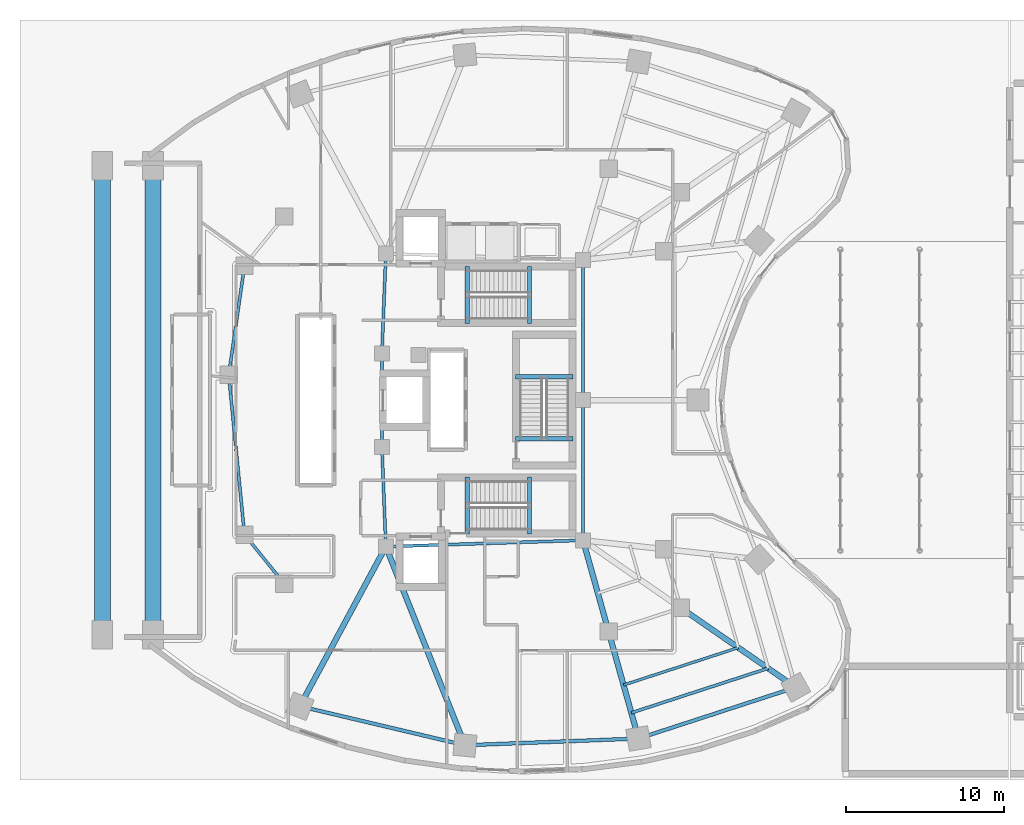
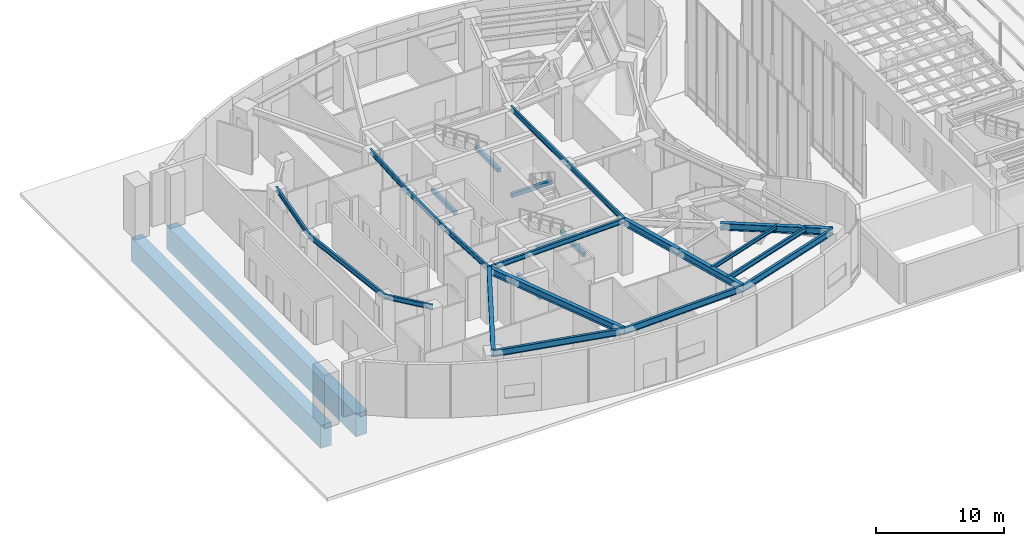
# One storey, part 7 of 28: 27 beams.
"""IFC4 building model written with IfcOpenShell, lengths in metres."""

from ifc_helpers import new_model, si_unit, direction, frame, origin, origin_2d, place, context, subcontext, project, spatial, rectangle, i_section, extrude, material, material_profile, profile_set, type_object, element, save


model = new_model("IFC4")

# Units and contexts
model_context = context("Model", 3, precision=1e-05, world=origin(), true_north=direction((0.0, 1.0)))
body_context = subcontext(model_context, "Body", "Model", "MODEL_VIEW")
ifc_project = project(units=[si_unit("LENGTHUNIT", "METRE"), si_unit("AREAUNIT", "SQUARE_METRE"), si_unit("VOLUMEUNIT", "CUBIC_METRE"), si_unit("PLANEANGLEUNIT", "RADIAN"), si_unit("MASSUNIT", "GRAM", prefix="KILO")], contexts=[model_context])

# Site, building, storey
site_placement = place(None, origin())
site = spatial("IfcSite", under=ifc_project, at=site_placement, CompositionType="ELEMENT")
building_placement = place(site_placement, origin())
building = spatial("IfcBuilding", under=site, at=building_placement, Name="Korentha Bioscience Tower", CompositionType="ELEMENT")
storey_placement = place(building_placement, origin())
storey = spatial("IfcBuildingStorey", under=building, at=storey_placement, Name="L00", CompositionType="ELEMENT", Elevation=0.0)

# Beams
ifc_material_1 = material(Name="Concrete C50", Category="concrete")
ifc_material_profile_1 = material_profile(ifc_material_1, rectangle(XDim=0.280029296875, YDim=0.3798828125, at=origin_2d()), Name="Concrete C50")
ifc_profile_set_1 = profile_set([ifc_material_profile_1], Name="Concrete C50 (ST-HB380)")
beam_type_1 = type_object("IfcBeamType", Name="Concrete Stair Header Beam RC 280x380", PredefinedType="BEAM", material=ifc_profile_set_1)
for number, where, z_axis, x_axis, name in (
    (1, (30.25, 31.85009765625, -0.18994140625), (0.0, 1.0, 0.0), (-1.0, 0.0, 0.0), "L00 ST-1 Concrete Stair Header Beam"),
    (2, (34.169921875, 31.85009765625, 2.510009765625), (0.0, 1.0, 0.0), (-1.0, 0.0, 0.0), "L00 ST-1 Half-Landing Header Beam 1"),
    (3, (30.25, 18.550048828125, -0.18994140625), (0.0, 1.0, 0.0), (-1.0, 0.0, 0.0), "L00 ST-2 Concrete Stair Header Beam"),
    (4, (34.169921875, 18.550048828125, 2.510009765625), (0.0, 1.0, 0.0), (-1.0, 0.0, 0.0), "L00 ST-2 Half-Landing Header Beam 1"),
    (5, (36.89990234375, 24.550048828125, -0.18994140625), (-1.0, 0.0, 0.0), (0.0, -1.0, 0.0), "L00 ST-3 Concrete Stair Header Beam"),
    (6, (36.89990234375, 28.469970703125, 2.510009765625), (-1.0, 0.0, 0.0), (0.0, -1.0, 0.0), "L00 ST-3 Half-Landing Header Beam 1"),
):
    element("IfcBeam", number, at=place(storey_placement, frame(where, z_axis=z_axis, x_axis=x_axis)), inside=storey, type_object=beam_type_1, Name=name, PredefinedType="BEAM", context=body_context, shape_type="SweptSolid", body=[
        extrude(rectangle(XDim=0.280029296875, YDim=0.3798828125, at=origin_2d()), origin(), (0.0, 0.0, 1.0), 3.599853515625),
    ])
ifc_material_2 = material(Name="Steel S355", Category="steel")
ifc_material_profile_2 = material_profile(ifc_material_2, i_section(OverallWidth=0.18994140625, OverallDepth=0.45703125, WebThickness=0.009033203125, FlangeThickness=0.014404296875, at=origin_2d()), Name="Steel S355")
ifc_profile_set_2 = profile_set([ifc_material_profile_2], Name="Steel S355 (MB-460)")
beam_type_2 = type_object("IfcBeamType", Name="Mid-Ring Tie Girder W460x74", PredefinedType="BEAM", material=ifc_profile_set_2)
beam_1_placement = place(storey_placement, frame((16.174072265625, 35.489013671875, 4.87158203125), z_axis=(-0.14286846228, -0.989741684727, 0.0), x_axis=(0.989741684727, -0.14286846228, 0.0)))
element("IfcBeam", 7, at=beam_1_placement, inside=storey, type_object=beam_type_2, Name="L00 Mid-Ring Tie Girder 06", PredefinedType="BEAM", context=body_context, shape_type="SweptSolid", body=[
    extrude(i_section(OverallWidth=0.18994140625, OverallDepth=0.45703125, WebThickness=0.009033203125, FlangeThickness=0.014404296875, at=origin_2d()), origin(), (0.0, 0.0, 1.0), 6.967041015625),
])
beam_2_placement = place(storey_placement, frame((15.1787109375, 28.593505859375, 4.87158203125), z_axis=(0.098243909277, -0.995162365793, 0.0), x_axis=(0.995162365793, 0.098243909277, 0.0)))
element("IfcBeam", 8, at=beam_2_placement, inside=storey, type_object=beam_type_2, Name="L00 Mid-Ring Tie Girder 07", PredefinedType="BEAM", context=body_context, shape_type="SweptSolid", body=[
    extrude(i_section(OverallWidth=0.18994140625, OverallDepth=0.45703125, WebThickness=0.009033203125, FlangeThickness=0.014404296875, at=origin_2d()), origin(), (0.0, 0.0, 1.0), 10.131591796875),
])
beam_3_placement = place(storey_placement, frame((16.174072265625, 18.510986328125, 4.87158203125), z_axis=(0.629790009744, -0.776765436684, 0.0), x_axis=(0.776765436684, 0.629790009744, 0.0)))
element("IfcBeam", 9, at=beam_3_placement, inside=storey, type_object=beam_type_2, Name="L00 Mid-Ring Tie Girder 08", PredefinedType="BEAM", context=body_context, shape_type="SweptSolid", body=[
    extrude(i_section(OverallWidth=0.18994140625, OverallDepth=0.45703125, WebThickness=0.009033203125, FlangeThickness=0.014404296875, at=origin_2d()), origin(), (0.0, 0.0, 1.0), 3.998291015625),
])
beam_4_placement = place(storey_placement, frame((25.10009765625, 36.25, 4.87158203125), z_axis=(-0.039651025576, -0.999213588864, 0.0), x_axis=(0.999213588864, -0.039651025576, 0.0)))
element("IfcBeam", 10, at=beam_4_placement, inside=storey, type_object=beam_type_2, Name="L00 Core Ring Tie Girder 02", PredefinedType="BEAM", context=body_context, shape_type="SweptSolid", body=[
    extrude(i_section(OverallWidth=0.18994140625, OverallDepth=0.45703125, WebThickness=0.009033203125, FlangeThickness=0.014404296875, at=origin_2d()), origin(), (0.0, 0.0, 1.0), 6.304931640625),
])
beam_5_placement = place(storey_placement, frame((24.85009765625, 29.949951171875, 4.87158203125), z_axis=(0.0, -1.0, 0.0), x_axis=(1.0, 0.0, 0.0)))
element("IfcBeam", 11, at=beam_5_placement, inside=storey, type_object=beam_type_2, Name="L00 Core Ring Tie Girder 03", PredefinedType="BEAM", context=body_context, shape_type="SweptSolid", body=[
    extrude(i_section(OverallWidth=0.18994140625, OverallDepth=0.45703125, WebThickness=0.009033203125, FlangeThickness=0.014404296875, at=origin_2d()), origin(), (0.0, 0.0, 1.0), 5.89990234375),
])
beam_6_placement = place(storey_placement, frame((24.85009765625, 24.050048828125, 4.87158203125), z_axis=(0.039651025576, -0.999213588864, 0.0), x_axis=(0.999213588864, 0.039651025576, 0.0)))
element("IfcBeam", 12, at=beam_6_placement, inside=storey, type_object=beam_type_2, Name="L00 Core Ring Tie Girder 04", PredefinedType="BEAM", context=body_context, shape_type="SweptSolid", body=[
    extrude(i_section(OverallWidth=0.18994140625, OverallDepth=0.45703125, WebThickness=0.009033203125, FlangeThickness=0.014404296875, at=origin_2d()), origin(), (0.0, 0.0, 1.0), 6.304931640625),
])
beam_7_placement = place(storey_placement, frame((25.10009765625, 17.75, 4.87158203125), z_axis=(0.999484526071, 0.032104238723, 0.0), x_axis=(-0.032104238723, 0.999484526071, 0.0)))
element("IfcBeam", 13, at=beam_7_placement, inside=storey, type_object=beam_type_2, Name="L00 Core Ring Tie Girder 05", PredefinedType="BEAM", context=body_context, shape_type="SweptSolid", body=[
    extrude(i_section(OverallWidth=0.18994140625, OverallDepth=0.45703125, WebThickness=0.009033203125, FlangeThickness=0.014404296875, at=origin_2d()), origin(), (0.0, 0.0, 1.0), 12.456298828125),
])
for number, where, z_axis, x_axis, name in (
    (14, (37.550048828125, 18.14990234375, 4.87158203125), (0.0, 1.0, 0.0), (-1.0, 0.0, 0.0), "L00 Core Ring Tie Girder 06"),
    (15, (37.550048828125, 27.0, 4.87158203125), (0.0, 1.0, 0.0), (-1.0, 0.0, 0.0), "L00 Core Ring Tie Girder 07"),
):
    element("IfcBeam", number, at=place(storey_placement, frame(where, z_axis=z_axis, x_axis=x_axis)), inside=storey, type_object=beam_type_2, Name=name, PredefinedType="BEAM", context=body_context, shape_type="SweptSolid", body=[
        extrude(i_section(OverallWidth=0.18994140625, OverallDepth=0.45703125, WebThickness=0.009033203125, FlangeThickness=0.014404296875, at=origin_2d()), origin(), (0.0, 0.0, 1.0), 8.85009765625),
    ])
ifc_material_profile_3 = material_profile(ifc_material_2, i_section(OverallWidth=0.22802734375, OverallDepth=0.60791015625, WebThickness=0.01123046875, FlangeThickness=0.017333984375, at=origin_2d()), Name="Steel S355")
ifc_profile_set_3 = profile_set([ifc_material_profile_3], Name="Steel S355 (SB-610)")
beam_type_3 = type_object("IfcBeamType", Name="Perimeter Ring Spandrel Girder W610x113", PredefinedType="SPANDREL", material=ifc_profile_set_3)
beam_8_placement = place(storey_placement, frame((19.66650390625, 7.671142578125, 4.7958984375), z_axis=(0.973207885376, -0.229926970672, 0.0), x_axis=(0.229926970672, 0.973207885376, 0.0)))
element("IfcBeam", 16, at=beam_8_placement, inside=storey, type_object=beam_type_3, Name="L00 Perimeter Spandrel Girder 10", PredefinedType="SPANDREL", context=body_context, shape_type="SweptSolid", body=[
    extrude(i_section(OverallWidth=0.22802734375, OverallDepth=0.60791015625, WebThickness=0.01123046875, FlangeThickness=0.017333984375, at=origin_2d()), origin(), (0.0, 0.0, 1.0), 10.71484375),
])
beam_9_placement = place(storey_placement, frame((30.09423828125, 5.20751953125, 4.7958984375), z_axis=(0.999246003889, 0.03882555488, 0.0), x_axis=(-0.03882555488, 0.999246003889, 0.0)))
element("IfcBeam", 17, at=beam_9_placement, inside=storey, type_object=beam_type_3, Name="L00 Perimeter Spandrel Girder 11", PredefinedType="SPANDREL", context=body_context, shape_type="SweptSolid", body=[
    extrude(i_section(OverallWidth=0.22802734375, OverallDepth=0.60791015625, WebThickness=0.01123046875, FlangeThickness=0.017333984375, at=origin_2d()), origin(), (0.0, 0.0, 1.0), 10.966552734375),
])
beam_10_placement = place(storey_placement, frame((41.052490234375, 5.63330078125, 4.7958984375), z_axis=(0.95087511444, 0.309574735305, 0.0), x_axis=(-0.309574735305, 0.95087511444, 0.0)))
element("IfcBeam", 18, at=beam_10_placement, inside=storey, type_object=beam_type_3, Name="L00 Perimeter Spandrel Girder 12", PredefinedType="SPANDREL", context=body_context, shape_type="SweptSolid", body=[
    extrude(i_section(OverallWidth=0.22802734375, OverallDepth=0.60791015625, WebThickness=0.01123046875, FlangeThickness=0.017333984375, at=origin_2d()), origin(), (0.0, 0.0, 1.0), 10.4375),
])
ifc_material_3 = material(Name="Concrete C80", Category="concrete")
ifc_material_profile_4 = material_profile(ifc_material_3, rectangle(XDim=1.0, YDim=2.199951171875, at=origin_2d()), Name="Concrete C80")
ifc_profile_set_4 = profile_set([ifc_material_profile_4], Name="Concrete C80 (PT-B1)")
beam_type_4 = type_object("IfcBeamType", Name="Post-Tensioned Arch Tie Girder 1000x2200", PredefinedType="BEAM", material=ifc_profile_set_4)
for number, where, z_axis, x_axis, name in (
    (19, (7.199951171875, 12.199951171875, -1.419921875), (0.0, 1.0, 0.0), (-1.0, 0.0, 0.0), "L00 Post-Tensioned Arch Tie Girder 1"),
    (20, (10.39990234375, 12.199951171875, -1.419921875), (0.0, 1.0, 0.0), (-1.0, 0.0, 0.0), "L00 Post-Tensioned Arch Tie Girder 2"),
):
    element("IfcBeam", number, at=place(storey_placement, frame(where, z_axis=z_axis, x_axis=x_axis)), inside=storey, type_object=beam_type_4, Name=name, PredefinedType="BEAM", context=body_context, shape_type="SweptSolid", body=[
        extrude(rectangle(XDim=1.0, YDim=2.199951171875, at=origin_2d()), origin(), (0.0, 0.0, 1.0), 29.60009765625),
    ])
ifc_material_profile_5 = material_profile(ifc_material_2, i_section(OverallWidth=0.18994140625, OverallDepth=0.45703125, WebThickness=0.009033203125, FlangeThickness=0.014404296875, at=origin_2d()), Name="Steel S355")
ifc_profile_set_5 = profile_set([ifc_material_profile_5], Name="Steel S355 (RB-460)")
beam_type_5 = type_object("IfcBeamType", Name="Radial Laboratory Beam W460x74", PredefinedType="BEAM", material=ifc_profile_set_5)
beam_11_placement = place(storey_placement, frame((40.5986328125, 7.255615234375, 4.87158203125), z_axis=(0.95087437499, 0.309577006554, 0.0), x_axis=(-0.309577006554, 0.95087437499, 0.0)))
element("IfcBeam", 21, at=beam_11_placement, inside=storey, type_object=beam_type_5, Name="L00 Secondary Floor Beam JSTO-12", PredefinedType="BEAM", context=body_context, shape_type="SweptSolid", body=[
    extrude(i_section(OverallWidth=0.18994140625, OverallDepth=0.45703125, WebThickness=0.009033203125, FlangeThickness=0.014404296875, at=origin_2d()), origin(), (0.0, 0.0, 1.0), 9.0849609375),
])
ifc_material_profile_6 = material_profile(ifc_material_2, i_section(OverallWidth=0.35009765625, OverallDepth=0.64990234375, WebThickness=0.01611328125, FlangeThickness=0.02490234375, at=origin_2d()), Name="Steel S355")
ifc_profile_set_6 = profile_set([ifc_material_profile_6], Name="Steel S355 (RB-650)")
beam_type_6 = type_object("IfcBeamType", Name="Radial Laboratory Girder CVS 650x208", PredefinedType="BEAM", material=ifc_profile_set_6)
beam_12_placement = place(storey_placement, frame((25.10009765625, 17.75, 4.77490234375), z_axis=(-0.47454097106, -0.880233416081, 0.0), x_axis=(0.880233416081, -0.47454097106, 0.0)))
element("IfcBeam", 22, at=beam_12_placement, inside=storey, type_object=beam_type_6, Name="L00 Radial Girder 10", PredefinedType="BEAM", context=body_context, shape_type="SweptSolid", body=[
    extrude(i_section(OverallWidth=0.35009765625, OverallDepth=0.64990234375, WebThickness=0.01611328125, FlangeThickness=0.02490234375, at=origin_2d()), origin(), (0.0, 0.0, 1.0), 11.4501953125),
])
beam_13_placement = place(storey_placement, frame((25.10009765625, 17.75, 4.77490234375), z_axis=(0.369931007413, -0.929059228335, 0.0), x_axis=(0.929059228335, 0.369931007413, 0.0)))
element("IfcBeam", 23, at=beam_13_placement, inside=storey, type_object=beam_type_6, Name="L00 Radial Girder 11", PredefinedType="BEAM", context=body_context, shape_type="SweptSolid", body=[
    extrude(i_section(OverallWidth=0.35009765625, OverallDepth=0.64990234375, WebThickness=0.01611328125, FlangeThickness=0.02490234375, at=origin_2d()), origin(), (0.0, 0.0, 1.0), 13.500244140625),
])
beam_14_placement = place(storey_placement, frame((37.550048828125, 18.14990234375, 4.77490234375), z_axis=(0.269469369205, -0.963008961049, 0.0), x_axis=(0.963008961049, 0.269469369205, 0.0)))
element("IfcBeam", 24, at=beam_14_placement, inside=storey, type_object=beam_type_6, Name="L00 Inner Radial Girder 12", PredefinedType="BEAM", context=body_context, shape_type="SweptSolid", body=[
    extrude(i_section(OverallWidth=0.35009765625, OverallDepth=0.64990234375, WebThickness=0.01611328125, FlangeThickness=0.02490234375, at=origin_2d()), origin(), (0.0, 0.0, 1.0), 5.978759765625),
])
beam_15_placement = place(storey_placement, frame((39.1611328125, 12.392333984375, 4.77490234375), z_axis=(0.269475095129, -0.963007358801, 0.0), x_axis=(0.963007358801, 0.269475095129, 0.0)))
element("IfcBeam", 25, at=beam_15_placement, inside=storey, type_object=beam_type_6, Name="L00 Outer Radial Girder 12", PredefinedType="BEAM", context=body_context, shape_type="SweptSolid", body=[
    extrude(i_section(OverallWidth=0.35009765625, OverallDepth=0.64990234375, WebThickness=0.01611328125, FlangeThickness=0.02490234375, at=origin_2d()), origin(), (0.0, 0.0, 1.0), 7.0185546875),
])
beam_16_placement = place(storey_placement, frame((43.7265625, 13.878662109375, 4.77490234375), z_axis=(0.822488186113, -0.568782193555, 0.0), x_axis=(0.568782193555, 0.822488186113, 0.0)))
element("IfcBeam", 26, at=beam_16_placement, inside=storey, type_object=beam_type_6, Name="L00 Outer Radial Girder 13", PredefinedType="BEAM", context=body_context, shape_type="SweptSolid", body=[
    extrude(i_section(OverallWidth=0.35009765625, OverallDepth=0.64990234375, WebThickness=0.01611328125, FlangeThickness=0.02490234375, at=origin_2d()), origin(), (0.0, 0.0, 1.0), 8.815673828125),
])
ifc_material_profile_7 = material_profile(ifc_material_2, i_section(OverallWidth=0.1708984375, OverallDepth=0.35498046875, WebThickness=0.007080078125, FlangeThickness=0.01171875, at=origin_2d()), Name="Steel S355")
ifc_profile_set_7 = profile_set([ifc_material_profile_7], Name="Steel S355 (JB-360)")
beam_type_7 = type_object("IfcBeamType", Name="Secondary Laboratory Joist W360x51", PredefinedType="JOIST", material=ifc_profile_set_7)
beam_17_placement = place(storey_placement, frame((40.10693359375, 9.0126953125, 4.922607421875), z_axis=(0.950870992772, 0.309587394938, 0.0), x_axis=(-0.309587394938, 0.950870992772, 0.0)))
element("IfcBeam", 27, at=beam_17_placement, inside=storey, type_object=beam_type_7, Name="L00 Secondary Floor Beam JST-12", PredefinedType="JOIST", context=body_context, shape_type="SweptSolid", body=[
    extrude(i_section(OverallWidth=0.1708984375, OverallDepth=0.35498046875, WebThickness=0.007080078125, FlangeThickness=0.01171875, at=origin_2d()), origin(), (0.0, 0.0, 1.0), 7.619384765625),
])

save(model, "model.ifc")
